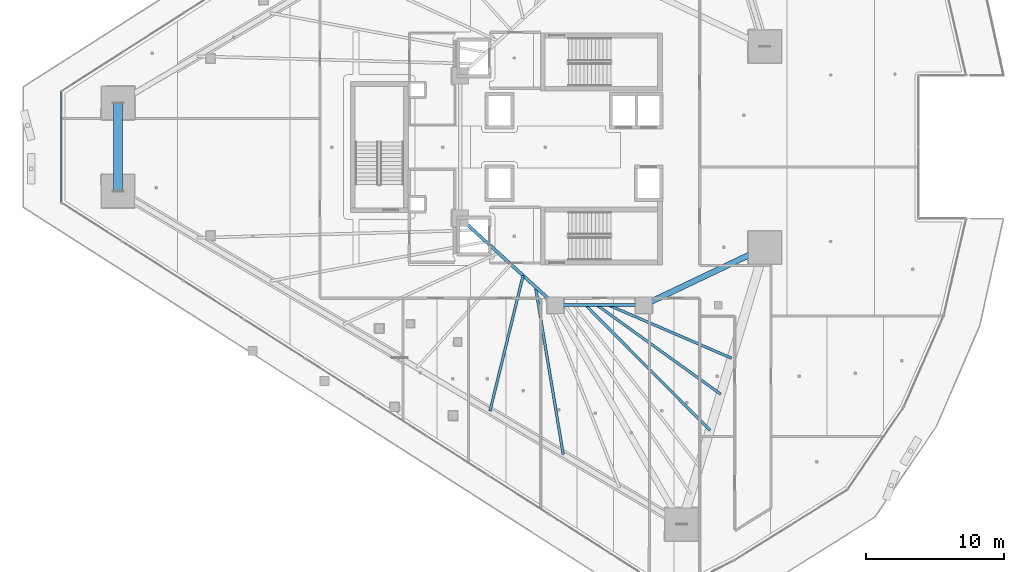
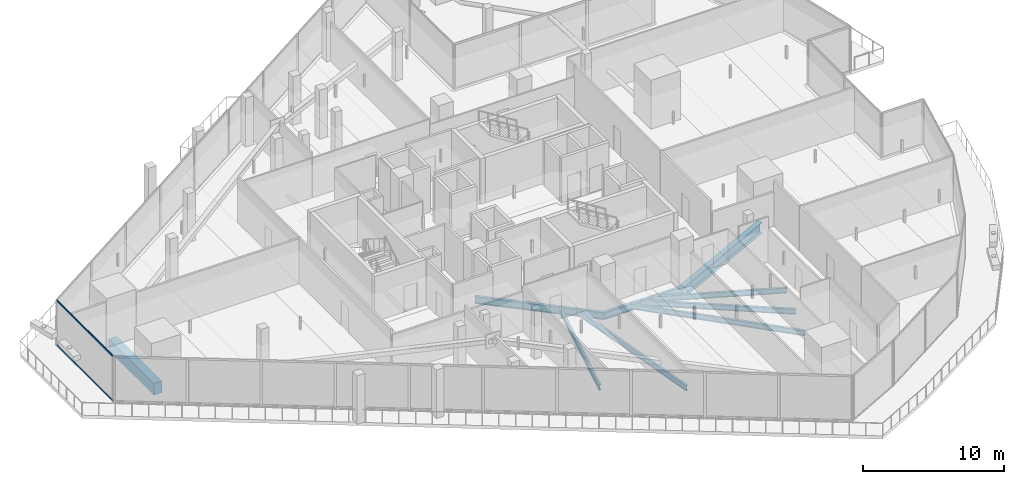
# One storey, part 11 of 47: 9 beams, 2 members, 1 element without a shape of its own.
"""IFC4 building model written with IfcOpenShell, lengths in metres."""

from ifc_helpers import new_model, si_unit, direction, frame, origin, origin_2d, place, context, subcontext, project, spatial, rectangle, hollow_rectangle, i_section, extrude, material, layer, layer_set, material_profile, profile_set, type_object, element, aggregate, save


model = new_model("IFC4")

# Units and contexts
model_context = context("Model", 3, precision=1e-05, world=origin(), true_north=direction((0.0, 1.0)))
body_context = subcontext(model_context, "Body", "Model", "MODEL_VIEW")
ifc_project = project(units=[si_unit("LENGTHUNIT", "METRE"), si_unit("AREAUNIT", "SQUARE_METRE"), si_unit("VOLUMEUNIT", "CUBIC_METRE"), si_unit("PLANEANGLEUNIT", "RADIAN"), si_unit("MASSUNIT", "GRAM", prefix="KILO")], contexts=[model_context])

# Site, building, storey
site_placement = place(None, origin())
site = spatial("IfcSite", under=ifc_project, at=site_placement, CompositionType="ELEMENT")
building_placement = place(site_placement, origin())
building = spatial("IfcBuilding", under=site, at=building_placement, Name="Qorvath Tower", CompositionType="ELEMENT")
storey_placement = place(building_placement, frame((0.0, 0.0, 74.39990234375)))
storey = spatial("IfcBuildingStorey", under=building, at=storey_placement, Name="L16", CompositionType="ELEMENT", Elevation=74.39990234375)

# Beams
ifc_material_1 = material(Name="Steel ASTM A992 Grade 50", Category="steel")
ifc_material_profile_1 = material_profile(ifc_material_1, i_section(OverallWidth=0.422119140625, OverallDepth=0.93310546875, WebThickness=0.021240234375, FlangeThickness=0.039794921875, FilletRadius=0.02392578125, at=origin_2d()), Name="W36x262")
ifc_profile_set_1 = profile_set([ifc_material_profile_1], Name="Steel ASTM A992 Grade 50")
beam_type_1 = type_object("IfcBeamType", Name="BM-FG1", PredefinedType="BEAM", material=ifc_profile_set_1)
beam_1_placement = place(storey_placement, frame((-17.199951171875, -11.449951171875, -0.746337890625), z_axis=(0.902955751435, 0.429733534821, 0.0), x_axis=(-0.429733534821, 0.902955751435, 0.0)))
element("IfcBeam", 1, at=beam_1_placement, inside=storey, type_object=beam_type_1, Name="Radial Floor Girder CC3-MC4 L16", PredefinedType="BEAM", context=body_context, shape_type="SweptSolid", body=[
    extrude(i_section(OverallWidth=0.422119140625, OverallDepth=0.93310546875, WebThickness=0.021240234375, FlangeThickness=0.039794921875, FilletRadius=0.02392578125, at=origin_2d()), origin(), (0.0, 0.0, 1.0), 9.7119140625),
])
ifc_material_2 = material(Name="Steel ASTM A992 Grade 50", Category="steel")
ifc_material_profile_2 = material_profile(ifc_material_2, i_section(OverallWidth=0.22998046875, OverallDepth=0.616943359375, WebThickness=0.01318359375, FlangeThickness=0.022216796875, FilletRadius=0.014892578125, at=origin_2d()), Name="W24x94")
ifc_profile_set_2 = profile_set([ifc_material_profile_2], Name="Steel ASTM A992 Grade 50")
beam_type_2 = type_object("IfcBeamType", Name="BM-FG6", PredefinedType="BEAM", material=ifc_profile_set_2)
beam_2_placement = place(storey_placement, frame((-17.199951171875, -11.449951171875, -0.58837890625), z_axis=(-1.0, 0.0, 0.0), x_axis=(0.0, -1.0, 0.0)))
element("IfcBeam", 2, at=beam_2_placement, inside=storey, type_object=beam_type_2, Name="Core Ring Girder CC3-CC4 L16", PredefinedType="BEAM", context=body_context, shape_type="SweptSolid", body=[
    extrude(i_section(OverallWidth=0.22998046875, OverallDepth=0.616943359375, WebThickness=0.01318359375, FlangeThickness=0.022216796875, FilletRadius=0.014892578125, at=origin_2d()), origin(), (0.0, 0.0, 1.0), 6.400146484375),
])
beam_3_placement = place(storey_placement, frame((-23.60009765625, -11.449951171875, -0.58837890625), z_axis=(-0.73847813985, 0.6742774184, 0.0), x_axis=(-0.6742774184, -0.73847813985, 0.0)))
element("IfcBeam", 3, at=beam_3_placement, inside=storey, type_object=beam_type_2, Name="Core Ring Girder CC4-CC6 L16", PredefinedType="BEAM", context=body_context, shape_type="SweptSolid", body=[
    extrude(i_section(OverallWidth=0.22998046875, OverallDepth=0.616943359375, WebThickness=0.01318359375, FlangeThickness=0.022216796875, FilletRadius=0.014892578125, at=origin_2d()), origin(), (0.0, 0.0, 1.0), 9.343505859375),
])
ifc_material_3 = material(Name="Steel ASTM A992 Grade 50", Category="steel")
ifc_material_profile_3 = material_profile(ifc_material_3, i_section(OverallWidth=0.18994140625, OverallDepth=0.45703125, WebThickness=0.009033203125, FlangeThickness=0.014404296875, FilletRadius=0.011962890625, at=origin_2d()), Name="W18x50")
ifc_profile_set_3 = profile_set([ifc_material_profile_3], Name="Steel ASTM A992 Grade 50")
beam_type_3 = type_object("IfcBeamType", Name="BM-FJ2", PredefinedType="JOIST", material=ifc_profile_set_3)
beam_4_placement = place(storey_placement, frame((-19.760009765625, -11.449951171875, -0.50830078125), z_axis=(0.918135537923, -0.396266493667, 0.0), x_axis=(0.396266493667, 0.918135537923, 0.0)))
element("IfcBeam", 4, at=beam_4_placement, inside=storey, type_object=beam_type_3, Name="Composite Floor Joist SE3 L16", PredefinedType="JOIST", context=body_context, shape_type="SweptSolid", body=[
    extrude(i_section(OverallWidth=0.18994140625, OverallDepth=0.45703125, WebThickness=0.009033203125, FlangeThickness=0.014404296875, FilletRadius=0.011962890625, at=origin_2d()), origin(), (0.0, 0.0, 1.0), 9.7109375),
])
beam_5_placement = place(storey_placement, frame((-20.592041015625, -11.449951171875, -0.50830078125), z_axis=(0.811469358397, -0.584394969505, 0.0), x_axis=(0.584394969505, 0.811469358397, 0.0)))
element("IfcBeam", 5, at=beam_5_placement, inside=storey, type_object=beam_type_3, Name="Composite Floor Joist SE4 L16", PredefinedType="JOIST", context=body_context, shape_type="SweptSolid", body=[
    extrude(i_section(OverallWidth=0.18994140625, OverallDepth=0.45703125, WebThickness=0.009033203125, FlangeThickness=0.014404296875, FilletRadius=0.011962890625, at=origin_2d()), origin(), (0.0, 0.0, 1.0), 11.046142578125),
])
beam_6_placement = place(storey_placement, frame((-21.424072265625, -11.449951171875, -0.50830078125), z_axis=(0.705107654599, -0.709100271771, 0.0), x_axis=(0.709100271771, 0.705107654599, 0.0)))
element("IfcBeam", 6, at=beam_6_placement, inside=storey, type_object=beam_type_3, Name="Composite Floor Joist SE5 L16", PredefinedType="JOIST", context=body_context, shape_type="SweptSolid", body=[
    extrude(i_section(OverallWidth=0.18994140625, OverallDepth=0.45703125, WebThickness=0.009033203125, FlangeThickness=0.014404296875, FilletRadius=0.011962890625, at=origin_2d()), origin(), (0.0, 0.0, 1.0), 12.780029296875),
])
beam_7_placement = place(storey_placement, frame((-25.946044921875, -9.30810546875, -0.50830078125), z_axis=(-0.237165308581, -0.97146930801, 0.0), x_axis=(0.97146930801, -0.237165308581, 0.0)))
element("IfcBeam", 7, at=beam_7_placement, inside=storey, type_object=beam_type_3, Name="Composite Floor Joist SW5 L16", PredefinedType="JOIST", context=body_context, shape_type="SweptSolid", body=[
    extrude(i_section(OverallWidth=0.18994140625, OverallDepth=0.45703125, WebThickness=0.009033203125, FlangeThickness=0.014404296875, FilletRadius=0.011962890625, at=origin_2d()), origin(), (0.0, 0.0, 1.0), 10.104736328125),
])
beam_8_placement = place(storey_placement, frame((-25.049072265625, -10.126953125, -0.50830078125), z_axis=(0.163639384475, -0.98652022374, 0.0), x_axis=(0.98652022374, 0.163639384475, 0.0)))
element("IfcBeam", 8, at=beam_8_placement, inside=storey, type_object=beam_type_3, Name="Composite Floor Joist SW6 L16", PredefinedType="JOIST", context=body_context, shape_type="SweptSolid", body=[
    extrude(i_section(OverallWidth=0.18994140625, OverallDepth=0.45703125, WebThickness=0.009033203125, FlangeThickness=0.014404296875, FilletRadius=0.011962890625, at=origin_2d()), origin(), (0.0, 0.0, 1.0), 12.301025390625),
])
ifc_material_4 = material(Name="Concrete C50/60", Category="concrete")
ifc_material_profile_4 = material_profile(ifc_material_4, rectangle(XDim=0.64990234375, YDim=1.0, at=origin_2d()), Name="RCB 1000x650")
ifc_profile_set_4 = profile_set([ifc_material_profile_4], Name="Concrete C50/60")
beam_type_4 = type_object("IfcBeamType", Name="BM-RCB1", PredefinedType="SPANDREL", material=ifc_profile_set_4)
beam_9_placement = place(storey_placement, frame((-55.282958984375, 3.194580078125, -0.77978515625), z_axis=(0.0, -1.0, 0.0), x_axis=(1.0, 0.0, 0.0)))
element("IfcBeam", 9, at=beam_9_placement, inside=storey, type_object=beam_type_4, Name="Perimeter Loggia Frame Beam MC1-MC2 L16", PredefinedType="SPANDREL", context=body_context, shape_type="SweptSolid", body=[
    extrude(rectangle(XDim=0.64990234375, YDim=1.0, at=origin_2d()), origin(), (0.0, 0.0, 1.0), 6.38916015625),
])

# Curtain wall, members
ifc_material_5 = material(Name="Anodised aluminium and triple low-E glass", Category="aluminium")
ifc_layer = layer(ifc_material_5, 0.179931640625)
ifc_layer_set = layer_set([ifc_layer], Name="CW-SYS-5")
curtain_wall_type = type_object("IfcCurtainWallType", Name="CW-SYS-5", PredefinedType="NOTDEFINED", material=ifc_layer_set)
curtain_wall_placement = place(storey_placement, origin())
curtain_wall = element("IfcCurtainWall", 10, at=curtain_wall_placement, inside=storey, type_object=curtain_wall_type, Name="Curtain Wall CW-5 CW-T-L16-5.1", PredefinedType="NOTDEFINED")
ifc_material_6 = material(Name="Anodised aluminium 6063-T6", Category="aluminium")
ifc_material_profile_5 = material_profile(ifc_material_6, hollow_rectangle(XDim=0.06494140625, YDim=0.159912109375, WallThickness=0.00341796875, InnerFilletRadius=0.00341796875, OuterFilletRadius=0.007080078125, at=origin_2d()), Name="CWT 160x65")
ifc_profile_set_5 = profile_set([ifc_material_profile_5], Name="Anodised aluminium 6063-T6")
member_type = type_object("IfcMemberType", Name="CWT-160", PredefinedType="USERDEFINED", material=ifc_profile_set_5)
member_1_placement = place(storey_placement, frame((-59.395751953125, 3.95556640625, 0.032470703125), z_axis=(0.0, -1.0, 0.0), x_axis=(1.0, 0.0, 0.0)))
member_1 = element("IfcMember", 11, at=member_1_placement, type_object=member_type, Name="CW-5 transom 1.1", ObjectType="TRANSOM", PredefinedType="USERDEFINED", context=body_context, shape_type="SweptSolid", body=[
    extrude(hollow_rectangle(XDim=0.06494140625, YDim=0.159912109375, WallThickness=0.00341796875, InnerFilletRadius=0.00341796875, OuterFilletRadius=0.007080078125, at=origin_2d()), origin(), (0.0, 0.0, 1.0), 7.9111328125),
])
member_2_placement = place(storey_placement, frame((-59.395751953125, 3.95556640625, 3.8876953125), z_axis=(0.0, -1.0, 0.0), x_axis=(1.0, 0.0, 0.0)))
member_2 = element("IfcMember", 12, at=member_2_placement, type_object=member_type, Name="CW-5 transom 1.2", ObjectType="TRANSOM", PredefinedType="USERDEFINED", context=body_context, shape_type="SweptSolid", body=[
    extrude(hollow_rectangle(XDim=0.06494140625, YDim=0.159912109375, WallThickness=0.00341796875, InnerFilletRadius=0.00341796875, OuterFilletRadius=0.007080078125, at=origin_2d()), origin(), (0.0, 0.0, 1.0), 7.9111328125),
])
aggregate(curtain_wall, [member_1, member_2])

save(model, "model.ifc")
